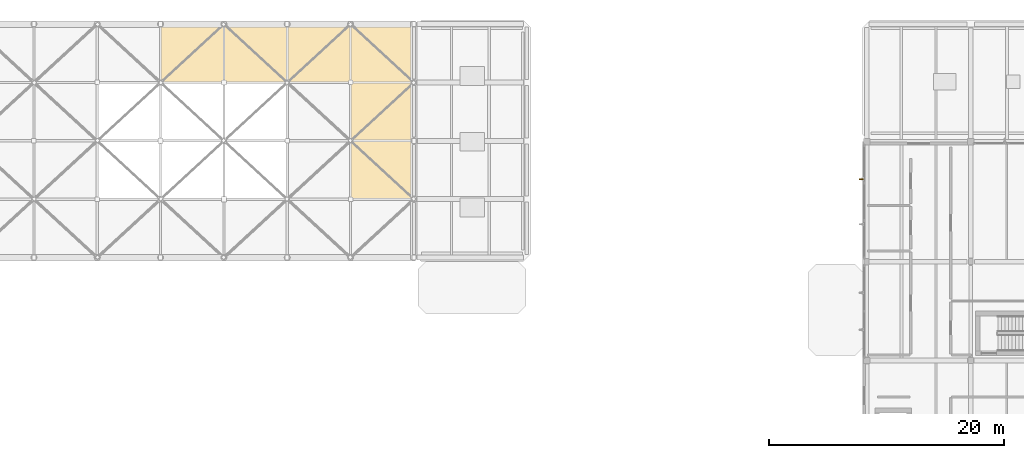
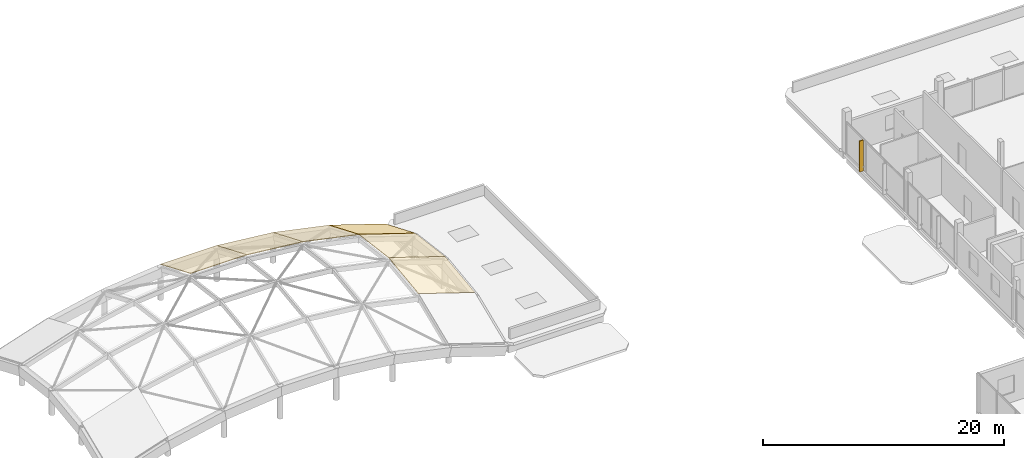
# One storey, part 63 of 66: 6 coverings, 1 shading device.
"""IFC4 building model written with IfcOpenShell, lengths in metres."""

from ifc_helpers import new_model, si_unit, direction, frame, origin, origin_2d, place, context, subcontext, project, spatial, polyline, rectangle, outline, extrude, material, layer, layer_set, type_object, element, save


model = new_model("IFC4")

# Units and contexts
model_context = context("Model", 3, precision=1e-05, world=origin(), true_north=direction((0.0, 1.0)))
body_context = subcontext(model_context, "Body", "Model", "MODEL_VIEW")
ifc_project = project(units=[si_unit("LENGTHUNIT", "METRE"), si_unit("AREAUNIT", "SQUARE_METRE"), si_unit("VOLUMEUNIT", "CUBIC_METRE"), si_unit("PLANEANGLEUNIT", "RADIAN"), si_unit("MASSUNIT", "GRAM", prefix="KILO")], contexts=[model_context])

# Site, building, storey
site_placement = place(None, origin())
site = spatial("IfcSite", under=ifc_project, at=site_placement, CompositionType="ELEMENT")
building_placement = place(site_placement, origin())
building = spatial("IfcBuilding", under=site, at=building_placement, Name="Birchvale Park Specialist Clinic", CompositionType="ELEMENT")
storey_placement = place(building_placement, frame((0.0, 0.0, 5.39990234375)))
storey = spatial("IfcBuildingStorey", under=building, at=storey_placement, Name="L01", CompositionType="ELEMENT", Elevation=5.39990234375)

# Coverings
ifc_material_1 = material(Name="Standing-seam titanium-zinc roofing")
ifc_layer = layer(ifc_material_1, 0.054931640625)
ifc_layer_set = layer_set([ifc_layer], Name="Standing-seam titanium-zinc roofing")
covering_type = type_object("IfcCoveringType", Name="COV-RF2", PredefinedType="ROOFING", material=ifc_layer_set)
covering_1_placement = place(storey_placement, frame((68.30712890625, 106.4375, 5.593505859375), z_axis=(0.0, 0.385189146475, 0.922837646305), x_axis=(1.0, 0.0, 0.0)))
element("IfcCovering", 1, at=covering_1_placement, inside=storey, type_object=covering_type, Name="V3 gridshell standing-seam covering 16", PredefinedType="ROOFING", context=body_context, shape_type="SweptSolid", body=[
    extrude(outline(polyline([(0.0, 0.0), (5.3857421875, 0.0), (5.3857421875, 5.377329765012336), (0.0, 5.377329765012336), (0.0, 0.0)])), origin(), (0.0, 0.0, -1.0), 0.054931640625),
])
covering_2_placement = place(storey_placement, frame((73.69287109375, 106.4375, 5.593505859375), z_axis=(0.095773780549, 0.383418480446, 0.918595477788), x_axis=(0.994608725176, 0.0, -0.103699005798)))
element("IfcCovering", 2, at=covering_2_placement, inside=storey, type_object=covering_type, Name="V3 gridshell standing-seam covering 20", PredefinedType="ROOFING", context=body_context, shape_type="SweptSolid", body=[
    extrude(outline(polyline([(0.0, 0.0), (5.4149355934377565, 0.0), (5.629726209939393, 5.373038283201645), (0.21479061650163686, 5.373038283201645), (0.0, 0.0)])), origin(), (0.0, 0.0, -1.0), 0.054931640625),
])
covering_3_placement = place(storey_placement, frame((79.07861328125, 106.4375, 5.031982421875), z_axis=(0.192052205924, 0.37801873904, 0.90565875645), x_axis=(0.978246670793, 0.0, -0.207445055574)))
element("IfcCovering", 3, at=covering_3_placement, inside=storey, type_object=covering_type, Name="V3 gridshell standing-seam covering 24", PredefinedType="ROOFING", context=body_context, shape_type="SweptSolid", body=[
    extrude(outline(polyline([(0.0, 0.0), (5.5055052557793625, 0.0), (5.935183930460209, 5.360135412301832), (0.4296786746808461, 5.360135412301832), (0.0, 0.0)])), origin(), (0.0, 0.0, -1.0), 0.054931640625),
])
covering_4_placement = place(storey_placement, frame((84.46435546875, 96.512451171875, 3.889892578125), z_axis=(0.308827211737, -0.121974265669, 0.943264560876), x_axis=(0.950360748527, 2.478321e-06, -0.311150201115)))
element("IfcCovering", 4, at=covering_4_placement, inside=storey, type_object=covering_type, Name="V3 gridshell standing-seam covering 26", PredefinedType="ROOFING", context=body_context, shape_type="SweptSolid", body=[
    extrude(outline(polyline([(0.0, 0.0), (5.667012906481524, 5.551115123125783e-17), (5.46739075030605, 4.999966367425642), (-0.19969812058004383, 4.999994668284967), (0.0, 0.0)])), origin(), (0.0, 0.0, -1.0), 0.054931640625),
])
covering_5_placement = place(storey_placement, frame((84.46435546875, 101.47509765625, 4.53173828125), z_axis=(0.308826985684, 0.121980177282, 0.943263870433), x_axis=(0.950360558987, 2.478406e-06, -0.311150780033)))
element("IfcCovering", 5, at=covering_5_placement, inside=storey, type_object=covering_type, Name="V3 gridshell standing-seam covering 27", PredefinedType="ROOFING", context=body_context, shape_type="SweptSolid", body=[
    extrude(outline(polyline([(0.0, 0.0), (5.667088870956761, -2.7755575615628914e-17), (5.866735996447856, 4.999723052158271), (0.19972309003700187, 4.999751354009851), (0.0, 0.0)])), origin(), (0.0, 0.0, -1.0), 0.054931640625),
])
covering_6_placement = place(storey_placement, frame((84.46435546875, 106.4375, 3.889892578125), z_axis=(0.289223870529, 0.368745241043, 0.883389212026), x_axis=(0.950361519836, -7.016724e-06, -0.311147845189)))
element("IfcCovering", 6, at=covering_6_placement, inside=storey, type_object=covering_type, Name="V3 gridshell standing-seam covering 28", PredefinedType="ROOFING", context=body_context, shape_type="SweptSolid", body=[
    extrude(outline(polyline([(0.0, 0.0), (5.667012906625318, 0.0), (6.311531179208879, 5.338659290269627), (0.6444423087541705, 5.33857373281916), (0.0, 0.0)])), origin(), (0.0, 0.0, -1.0), 0.054931640625),
])

# Shading device
ifc_material_2 = material(Name="Glulam GL28h", Category="wood")
shading_device_type = type_object("IfcShadingDeviceType", Name="SHD-FIN1", PredefinedType="USERDEFINED", material=ifc_material_2)
shading_device_placement = place(storey_placement, frame((127.89501953125, 98.22607421875, 0.05029296875), z_axis=(0.0, 0.0, 1.0), x_axis=(1.0, 0.0, 0.0)))
element("IfcShadingDevice", 7, at=shading_device_placement, inside=storey, type_object=shading_device_type, Name="V6 L01 glulam solar fin 28", ObjectType="FIN", PredefinedType="USERDEFINED", context=body_context, shape_type="SweptSolid", body=[
    extrude(rectangle(XDim=0.360107421875, YDim=0.090087890625, at=origin_2d()), origin(), (0.0, 0.0, 1.0), 3.135009765625),
])

save(model, "model.ifc")
